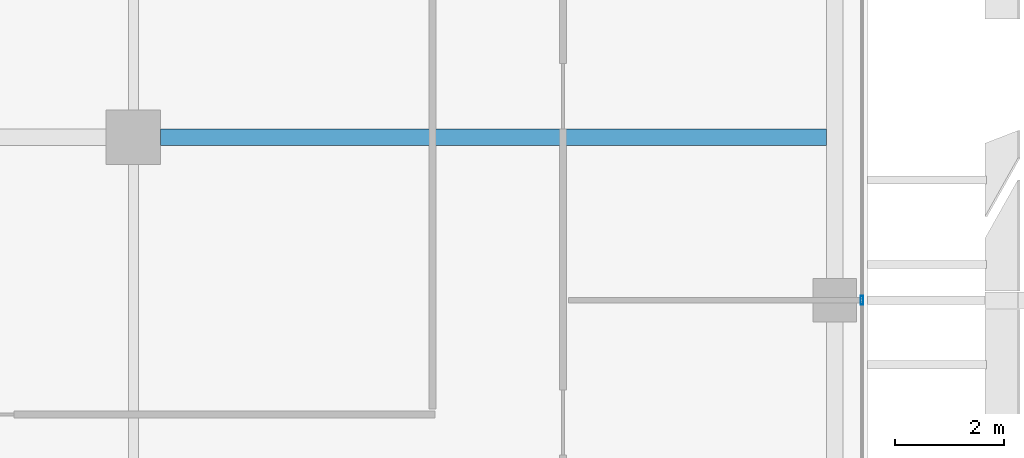
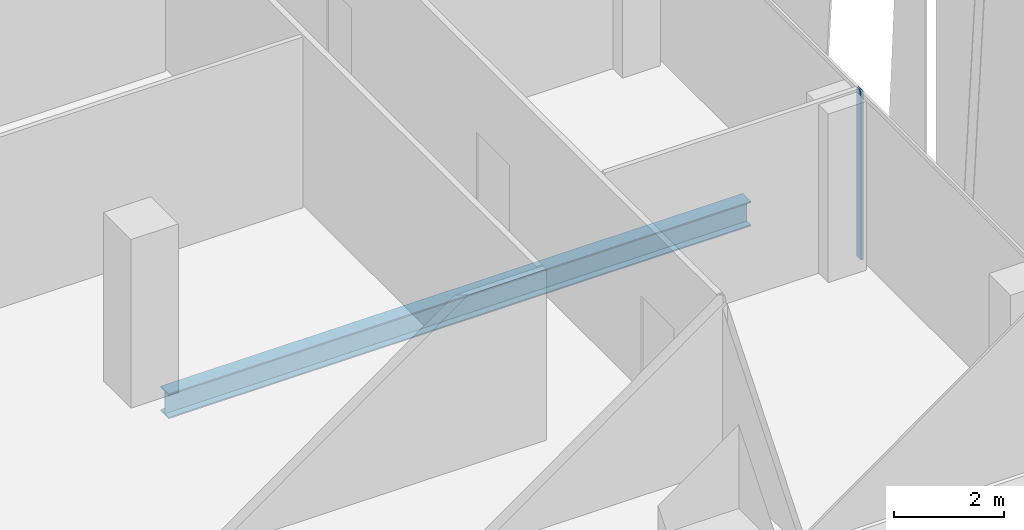
# One storey, part 9 of 32: 1 beam, 1 member, 1 element without a shape of its own.
"""IFC4 building model written with IfcOpenShell, lengths in metres."""

from ifc_helpers import new_model, si_unit, direction, frame, origin, origin_2d, place, context, subcontext, project, spatial, hollow_rectangle, i_section, extrude, source, transform, mapped, material, material_profile, profile_set, type_object, element, aggregate, save


model = new_model("IFC4")

# Units and contexts
model_context = context("Model", 3, precision=1e-05, world=origin(), true_north=direction((0.0, 1.0)))
body_context = subcontext(model_context, "Body", "Model", "MODEL_VIEW")
ifc_project = project(units=[si_unit("LENGTHUNIT", "METRE"), si_unit("AREAUNIT", "SQUARE_METRE"), si_unit("VOLUMEUNIT", "CUBIC_METRE"), si_unit("PLANEANGLEUNIT", "RADIAN"), si_unit("MASSUNIT", "GRAM", prefix="KILO")], contexts=[model_context])

# Site, building, storey
site_placement = place(None, origin())
site = spatial("IfcSite", under=ifc_project, at=site_placement, CompositionType="ELEMENT")
building_placement = place(site_placement, origin())
building = spatial("IfcBuilding", under=site, at=building_placement, Name="Khomas Fold Tower", CompositionType="ELEMENT")
storey_placement = place(building_placement, frame((0.0, 0.0, 306.199951171875)))
storey = spatial("IfcBuildingStorey", under=building, at=storey_placement, Name="L69", CompositionType="ELEMENT", Elevation=306.199951171875)

# Beam
ifc_material_1 = material(Name="Steel S355", Category="steel")
ifc_material_profile_1 = material_profile(ifc_material_1, i_section(OverallWidth=0.300048828125, OverallDepth=0.550048828125, WebThickness=0.014892578125, FlangeThickness=0.029052734375, at=origin_2d()), Name="HE 550 B")
ifc_profile_set_1 = profile_set([ifc_material_profile_1], Name="Steel S355")
beam_type = type_object("IfcBeamType", Name="HE 550 B beam GB4", PredefinedType="BEAM", material=ifc_profile_set_1)
shared_shape_1 = source(origin(), body_context, "Body", "SweptSolid", [
    extrude(i_section(OverallWidth=0.300048828125, OverallDepth=0.550048828125, WebThickness=0.014892578125, FlangeThickness=0.029052734375, at=origin_2d()), origin(), (0.0, 0.0, 1.0), 12.25),
])
beam_placement = place(storey_placement, frame((35.0, 22.5, -0.52490234375), z_axis=(1.0, 0.0, 0.0), x_axis=(0.0, 1.0, 0.0)))
element("IfcBeam", 1, at=beam_placement, inside=storey, type_object=beam_type, Name="GB4", PredefinedType="BEAM", context=body_context, shape_type="MappedRepresentation", body=[
    mapped(shared_shape_1, transform((0.0, 0.0, 0.0))),
])

# Curtain wall, member
ifc_material_2 = material(Name="Aluminium framed double glazing", Category="aluminium")
curtain_wall_type = type_object("IfcCurtainWallType", Name="SK-Unitised clear-glass wall, upper floors CW3", PredefinedType="NOTDEFINED", material=ifc_material_2)
curtain_wall_placement = place(storey_placement, origin())
curtain_wall = element("IfcCurtainWall", 2, at=curtain_wall_placement, inside=storey, type_object=curtain_wall_type, Name="CW3 run L69 03-0", PredefinedType="NOTDEFINED")
ifc_material_3 = material(Name="Aluminium", Category="aluminium")
ifc_material_profile_2 = material_profile(ifc_material_3, hollow_rectangle(XDim=0.050048828125, YDim=0.159912109375, WallThickness=0.00390625, at=origin_2d()), Name="SK-Unitised clear-glass wall, upper floors mullion CW3-M")
ifc_profile_set_2 = profile_set([ifc_material_profile_2], Name="Aluminium")
member_type = type_object("IfcMemberType", Name="SK-Unitised clear-glass wall, upper floors mullion CW3-M", PredefinedType="MULLION", material=ifc_profile_set_2)
shared_shape_2 = source(origin(), body_context, "Body", "SweptSolid", [
    extrude(hollow_rectangle(XDim=0.050048828125, YDim=0.159912109375, WallThickness=0.00390625, at=origin_2d()), origin(), (0.0, 0.0, 1.0), 3.75),
])
member_placement = place(storey_placement, frame((47.89990234375, 19.5, 0.0), z_axis=(0.0, 0.0, 1.0), x_axis=(-1.0, 0.0, 0.0)))
member = element("IfcMember", 3, at=member_placement, type_object=member_type, Name="CW3 mullion 3", PredefinedType="MULLION", context=body_context, shape_type="MappedRepresentation", body=[
    mapped(shared_shape_2, transform((0.0, 0.0, 0.0))),
])
aggregate(curtain_wall, [member])

save(model, "model.ifc")
